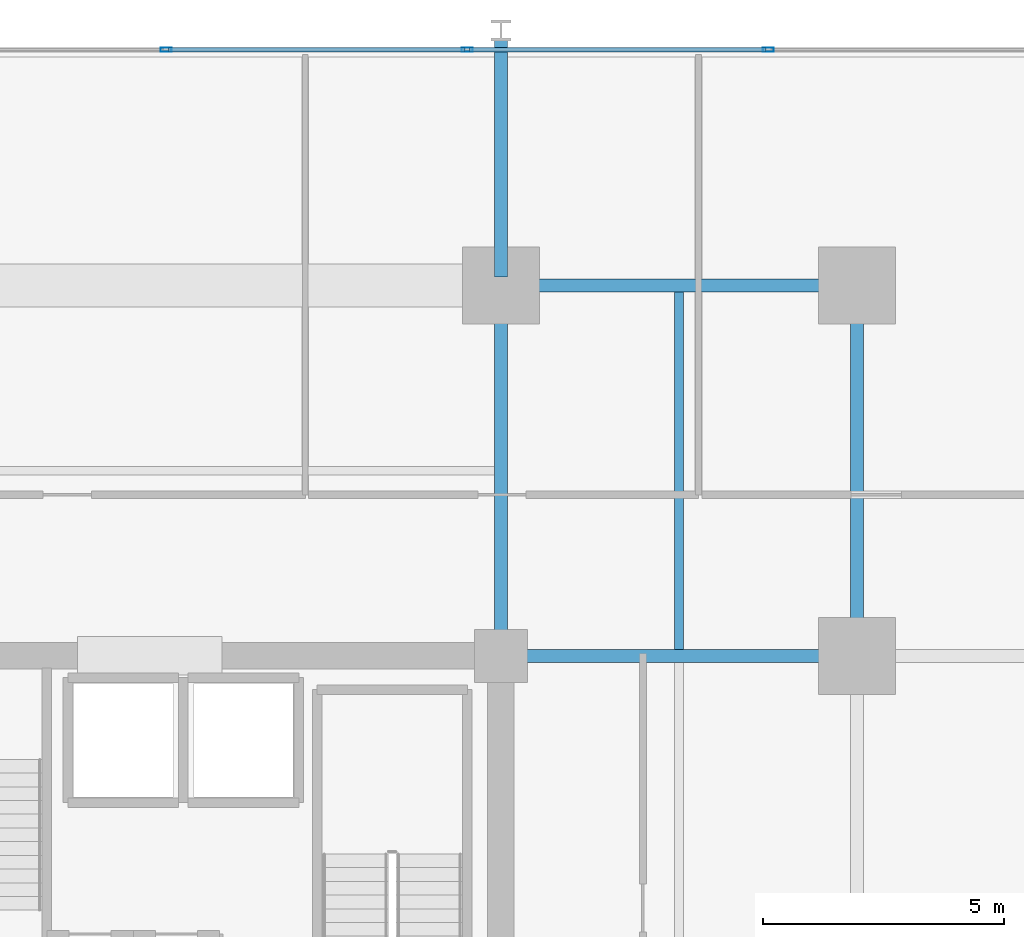
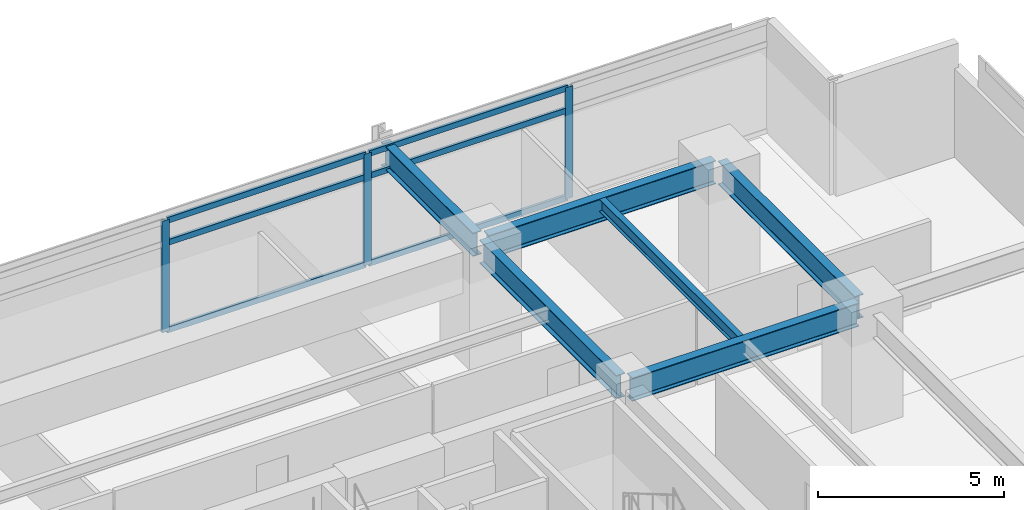
# One storey, part 10 of 22: 9 members, 6 beams, 1 element without a shape of its own.
"""IFC4 building model written with IfcOpenShell, lengths in metres."""

from ifc_helpers import new_model, si_unit, direction, frame, origin, origin_2d, place, context, subcontext, project, spatial, hollow_rectangle, i_section, extrude, material, material_profile, profile_set, type_object, element, aggregate, save


model = new_model("IFC4")

# Units and contexts
model_context = context("Model", 3, precision=1e-05, world=origin(), true_north=direction((0.0, 1.0)))
body_context = subcontext(model_context, "Body", "Model", "MODEL_VIEW")
ifc_project = project(units=[si_unit("LENGTHUNIT", "METRE"), si_unit("AREAUNIT", "SQUARE_METRE"), si_unit("VOLUMEUNIT", "CUBIC_METRE"), si_unit("PLANEANGLEUNIT", "RADIAN"), si_unit("MASSUNIT", "GRAM", prefix="KILO")], contexts=[model_context])

# Site, building, storey
site_placement = place(None, origin())
site = spatial("IfcSite", under=ifc_project, at=site_placement, CompositionType="ELEMENT")
building_placement = place(site_placement, origin())
building = spatial("IfcBuilding", under=site, at=building_placement, Name="Kovane Verandah Tower", CompositionType="ELEMENT")
storey_placement = place(building_placement, frame((0.0, 0.0, 180.39990234375)))
storey = spatial("IfcBuildingStorey", under=building, at=storey_placement, Name="L42", CompositionType="ELEMENT", Elevation=180.39990234375)

# Beams
ifc_material_1 = material(Name="Steel S355", Category="steel")
ifc_material_profile_1 = material_profile(ifc_material_1, i_section(OverallWidth=0.26806640625, OverallDepth=0.769775390625, WebThickness=0.015625, FlangeThickness=0.025390625, FilletRadius=0.0166015625, at=origin_2d()), Name="UB762x267x197")
ifc_profile_set_1 = profile_set([ifc_material_profile_1], Name="Steel S355")
beam_type_1 = type_object("IfcBeamType", Name="BM-UB762x197", PredefinedType="BEAM", material=ifc_profile_set_1)
beam_1_placement = place(storey_placement, frame((51.179931640625, 44.199951171875, 3.315185546875), z_axis=(1.0, 0.0, 0.0), x_axis=(0.0, 1.0, 0.0)))
element("IfcBeam", 1, at=beam_1_placement, inside=storey, type_object=beam_type_1, Name="L42 Primary Tower Girder G-RN3", PredefinedType="BEAM", context=body_context, shape_type="SweptSolid", body=[
    extrude(i_section(OverallWidth=0.26806640625, OverallDepth=0.769775390625, WebThickness=0.015625, FlangeThickness=0.025390625, FilletRadius=0.0166015625, at=origin_2d()), origin(), (0.0, 0.0, 1.0), 7.0400390625),
])
beam_2_placement = place(storey_placement, frame((58.39990234375, 36.679931640625, 3.315185546875), z_axis=(0.0, 1.0, 0.0), x_axis=(-1.0, 0.0, 0.0)))
element("IfcBeam", 2, at=beam_2_placement, inside=storey, type_object=beam_type_1, Name="L42 Primary Tower Girder G-RE3", PredefinedType="BEAM", context=body_context, shape_type="SweptSolid", body=[
    extrude(i_section(OverallWidth=0.26806640625, OverallDepth=0.769775390625, WebThickness=0.015625, FlangeThickness=0.025390625, FilletRadius=0.0166015625, at=origin_2d()), origin(), (0.0, 0.0, 1.0), 7.340087890625),
])
beam_3_placement = place(storey_placement, frame((51.179931640625, 36.5, 3.315185546875), z_axis=(1.0, 0.0, 0.0), x_axis=(0.0, 1.0, 0.0)))
element("IfcBeam", 3, at=beam_3_placement, inside=storey, type_object=beam_type_1, Name="L42 Primary Tower Girder G-E2", PredefinedType="BEAM", context=body_context, shape_type="SweptSolid", body=[
    extrude(i_section(OverallWidth=0.26806640625, OverallDepth=0.769775390625, WebThickness=0.015625, FlangeThickness=0.025390625, FilletRadius=0.0166015625, at=origin_2d()), origin(), (0.0, 0.0, 1.0), 7.0400390625),
])
beam_4_placement = place(storey_placement, frame((51.0, 36.679931640625, 3.315185546875), z_axis=(0.0, 1.0, 0.0), x_axis=(-1.0, 0.0, 0.0)))
element("IfcBeam", 4, at=beam_4_placement, inside=storey, type_object=beam_type_1, Name="L42 Primary Tower Girder G-N2", PredefinedType="BEAM", context=body_context, shape_type="SweptSolid", body=[
    extrude(i_section(OverallWidth=0.26806640625, OverallDepth=0.769775390625, WebThickness=0.015625, FlangeThickness=0.025390625, FilletRadius=0.0166015625, at=origin_2d()), origin(), (0.0, 0.0, 1.0), 7.340087890625),
])
beam_5_placement = place(storey_placement, frame((51.0, 44.3798828125, 3.315185546875), z_axis=(0.0, 1.0, 0.0), x_axis=(-1.0, 0.0, 0.0)))
element("IfcBeam", 5, at=beam_5_placement, inside=storey, type_object=beam_type_1, Name="L42 Primary Tower Girder G-VN2", PredefinedType="BEAM", context=body_context, shape_type="SweptSolid", body=[
    extrude(i_section(OverallWidth=0.26806640625, OverallDepth=0.769775390625, WebThickness=0.015625, FlangeThickness=0.025390625, FilletRadius=0.0166015625, at=origin_2d()), origin(), (0.0, 0.0, 1.0), 4.940185546875),
])

# Curtain wall, members
ifc_material_2 = material(Name="Champagne Anodised Aluminium Frame with Low-E Clear Laminated Glass", Category="aluminium")
curtain_wall_type = type_object("IfcCurtainWallType", Name="CW-SYS-03-MID", PredefinedType="NOTDEFINED", material=ifc_material_2)
curtain_wall_placement = place(storey_placement, origin())
curtain_wall = element("IfcCurtainWall", 6, at=curtain_wall_placement, inside=storey, type_object=curtain_wall_type, Name="L42 N Unitised Curtain Wall", PredefinedType="NOTDEFINED")
ifc_material_3 = material(Name="Champagne Anodised Aluminium 6063-T6", Category="aluminium")
ifc_material_profile_2 = material_profile(ifc_material_3, hollow_rectangle(XDim=0.0849609375, YDim=0.22998046875, WallThickness=0.00390625, at=origin_2d()), Name="AL85x230x4")
ifc_profile_set_2 = profile_set([ifc_material_profile_2], Name="Champagne Anodised Aluminium 6063-T6")
member_type_1 = type_object("IfcMemberType", Name="CW-MUL-85x230", PredefinedType="MULLION", material=ifc_profile_set_2)
member_1_placement = place(storey_placement, frame((56.56005859375, 49.10009765625, 0.02001953125), z_axis=(0.0, 0.0, 1.0), x_axis=(0.0, 1.0, 0.0)))
member_1 = element("IfcMember", 7, at=member_1_placement, type_object=member_type_1, Name="L42 N Unitised Curtain Wall Mullion 2", PredefinedType="MULLION", context=body_context, shape_type="SweptSolid", body=[
    extrude(hollow_rectangle(XDim=0.0849609375, YDim=0.22998046875, WallThickness=0.00390625, at=origin_2d()), origin(), (0.0, 0.0, 1.0), 3.66015625),
])
member_2_placement = place(storey_placement, frame((50.300048828125, 49.10009765625, 0.02001953125), z_axis=(0.0, 0.0, 1.0), x_axis=(0.0, 1.0, 0.0)))
member_2 = element("IfcMember", 8, at=member_2_placement, type_object=member_type_1, Name="L42 N Unitised Curtain Wall Mullion 3", PredefinedType="MULLION", context=body_context, shape_type="SweptSolid", body=[
    extrude(hollow_rectangle(XDim=0.0849609375, YDim=0.22998046875, WallThickness=0.00390625, at=origin_2d()), origin(), (0.0, 0.0, 1.0), 3.66015625),
])
member_3_placement = place(storey_placement, frame((44.0400390625, 49.10009765625, 0.02001953125), z_axis=(0.0, 0.0, 1.0), x_axis=(0.0, 1.0, 0.0)))
member_3 = element("IfcMember", 9, at=member_3_placement, type_object=member_type_1, Name="L42 N Unitised Curtain Wall Mullion 4", PredefinedType="MULLION", context=body_context, shape_type="SweptSolid", body=[
    extrude(hollow_rectangle(XDim=0.0849609375, YDim=0.22998046875, WallThickness=0.00390625, at=origin_2d()), origin(), (0.0, 0.0, 1.0), 3.66015625),
])
ifc_material_profile_3 = material_profile(ifc_material_3, hollow_rectangle(XDim=0.0849609375, YDim=0.18994140625, WallThickness=0.00390625, at=origin_2d()), Name="AL85x190x4")
ifc_profile_set_3 = profile_set([ifc_material_profile_3], Name="Champagne Anodised Aluminium 6063-T6")
member_type_2 = type_object("IfcMemberType", Name="CW-TRN-85x190", PredefinedType="USERDEFINED", material=ifc_profile_set_3)
member_4_placement = place(storey_placement, frame((56.510009765625, 49.10009765625, 0.050048828125), z_axis=(-1.0, 0.0, 0.0), x_axis=(0.0, -1.0, 0.0)))
member_4 = element("IfcMember", 10, at=member_4_placement, type_object=member_type_2, Name="L42 N Unitised Curtain Wall Transom TB Bay 2", ObjectType="TRANSOM", PredefinedType="USERDEFINED", context=body_context, shape_type="SweptSolid", body=[
    extrude(hollow_rectangle(XDim=0.0849609375, YDim=0.18994140625, WallThickness=0.00390625, at=origin_2d()), origin(), (0.0, 0.0, 1.0), 6.159912109375),
])
member_5_placement = place(storey_placement, frame((56.510009765625, 49.10009765625, 2.920166015625), z_axis=(-1.0, 0.0, 0.0), x_axis=(0.0, -1.0, 0.0)))
member_5 = element("IfcMember", 11, at=member_5_placement, type_object=member_type_2, Name="L42 N Unitised Curtain Wall Transom TM Bay 2", ObjectType="TRANSOM", PredefinedType="USERDEFINED", context=body_context, shape_type="SweptSolid", body=[
    extrude(hollow_rectangle(XDim=0.0849609375, YDim=0.18994140625, WallThickness=0.00390625, at=origin_2d()), origin(), (0.0, 0.0, 1.0), 6.159912109375),
])
member_6_placement = place(storey_placement, frame((56.510009765625, 49.10009765625, 3.650146484375), z_axis=(-1.0, 0.0, 0.0), x_axis=(0.0, -1.0, 0.0)))
member_6 = element("IfcMember", 12, at=member_6_placement, type_object=member_type_2, Name="L42 N Unitised Curtain Wall Transom TT Bay 2", ObjectType="TRANSOM", PredefinedType="USERDEFINED", context=body_context, shape_type="SweptSolid", body=[
    extrude(hollow_rectangle(XDim=0.0849609375, YDim=0.18994140625, WallThickness=0.00390625, at=origin_2d()), origin(), (0.0, 0.0, 1.0), 6.159912109375),
])
member_7_placement = place(storey_placement, frame((50.25, 49.10009765625, 0.050048828125), z_axis=(-1.0, 0.0, 0.0), x_axis=(0.0, -1.0, 0.0)))
member_7 = element("IfcMember", 13, at=member_7_placement, type_object=member_type_2, Name="L42 N Unitised Curtain Wall Transom TB Bay 3", ObjectType="TRANSOM", PredefinedType="USERDEFINED", context=body_context, shape_type="SweptSolid", body=[
    extrude(hollow_rectangle(XDim=0.0849609375, YDim=0.18994140625, WallThickness=0.00390625, at=origin_2d()), origin(), (0.0, 0.0, 1.0), 6.159912109375),
])
member_8_placement = place(storey_placement, frame((50.25, 49.10009765625, 2.920166015625), z_axis=(-1.0, 0.0, 0.0), x_axis=(0.0, -1.0, 0.0)))
member_8 = element("IfcMember", 14, at=member_8_placement, type_object=member_type_2, Name="L42 N Unitised Curtain Wall Transom TM Bay 3", ObjectType="TRANSOM", PredefinedType="USERDEFINED", context=body_context, shape_type="SweptSolid", body=[
    extrude(hollow_rectangle(XDim=0.0849609375, YDim=0.18994140625, WallThickness=0.00390625, at=origin_2d()), origin(), (0.0, 0.0, 1.0), 6.159912109375),
])
member_9_placement = place(storey_placement, frame((50.25, 49.10009765625, 3.650146484375), z_axis=(-1.0, 0.0, 0.0), x_axis=(0.0, -1.0, 0.0)))
member_9 = element("IfcMember", 15, at=member_9_placement, type_object=member_type_2, Name="L42 N Unitised Curtain Wall Transom TT Bay 3", ObjectType="TRANSOM", PredefinedType="USERDEFINED", context=body_context, shape_type="SweptSolid", body=[
    extrude(hollow_rectangle(XDim=0.0849609375, YDim=0.18994140625, WallThickness=0.00390625, at=origin_2d()), origin(), (0.0, 0.0, 1.0), 6.159912109375),
])
aggregate(curtain_wall, [member_1, member_2, member_3, member_4, member_5, member_6, member_7, member_8, member_9])

# Beam
ifc_material_profile_4 = material_profile(ifc_material_1, i_section(OverallWidth=0.179443359375, OverallDepth=0.412841796875, WebThickness=0.009521484375, FlangeThickness=0.01611328125, FilletRadius=0.01025390625, at=origin_2d()), Name="UB406x178x74")
ifc_profile_set_4 = profile_set([ifc_material_profile_4], Name="Steel S355")
beam_type_2 = type_object("IfcBeamType", Name="JST-UB406x74", PredefinedType="JOIST", material=ifc_profile_set_4)
beam_6_placement = place(storey_placement, frame((54.699951171875, 36.632080078125, 3.49365234375), z_axis=(0.0, 1.0, 0.0), x_axis=(-1.0, 0.0, 0.0)))
element("IfcBeam", 16, at=beam_6_placement, inside=storey, type_object=beam_type_2, Name="L42 Secondary Composite Joist J-NE1", PredefinedType="JOIST", context=body_context, shape_type="SweptSolid", body=[
    extrude(i_section(OverallWidth=0.179443359375, OverallDepth=0.412841796875, WebThickness=0.009521484375, FlangeThickness=0.01611328125, FilletRadius=0.01025390625, at=origin_2d()), origin(), (0.0, 0.0, 1.0), 7.43603515625),
])

save(model, "model.ifc")
